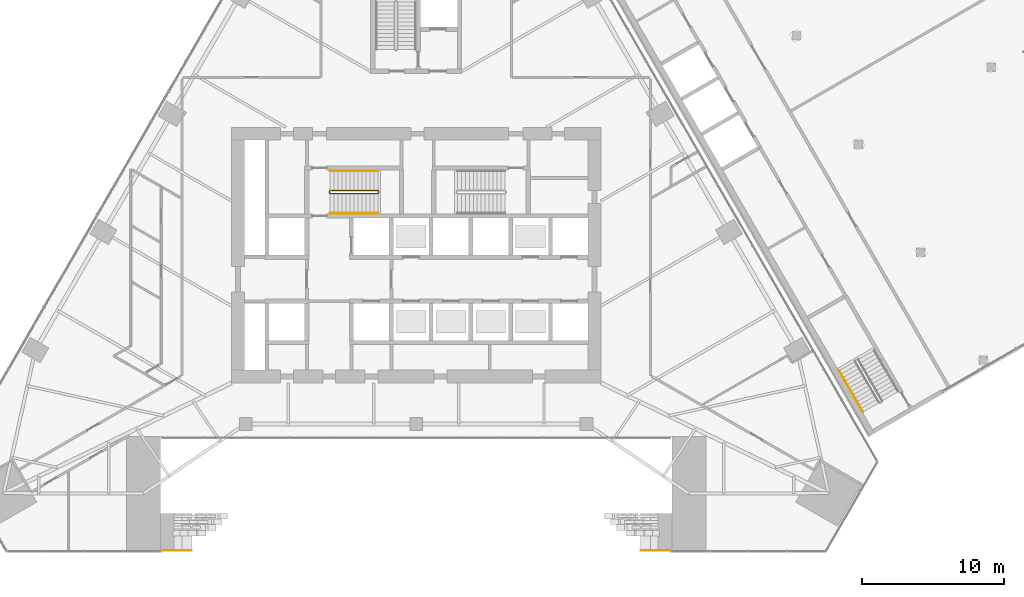
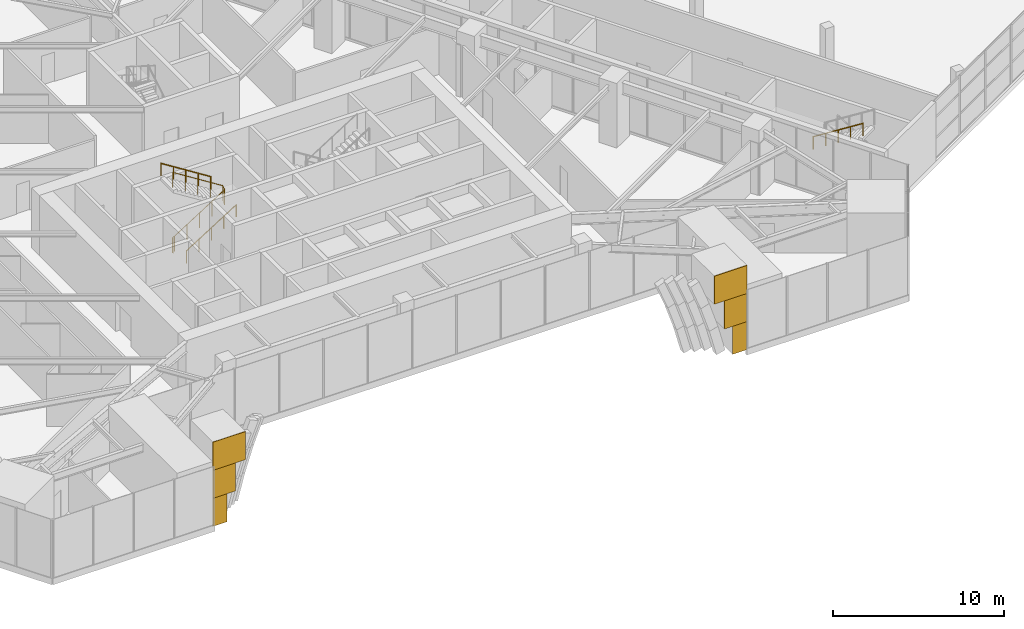
# One storey, part 23 of 29: 6 coverings, 4 railings.
"""IFC4 building model written with IfcOpenShell, lengths in metres."""

from ifc_helpers import new_model, si_unit, direction, frame, origin, origin_2d, place, context, subcontext, project, spatial, polyline, circle, outline, extrude, material, layer, layer_set, type_object, element, save


model = new_model("IFC4")

# Units and contexts
model_context = context("Model", 3, precision=1e-05, world=origin(), true_north=direction((0.0, 1.0)))
body_context = subcontext(model_context, "Body", "Model", "MODEL_VIEW")
ifc_project = project(units=[si_unit("LENGTHUNIT", "METRE"), si_unit("AREAUNIT", "SQUARE_METRE"), si_unit("VOLUMEUNIT", "CUBIC_METRE"), si_unit("PLANEANGLEUNIT", "RADIAN"), si_unit("MASSUNIT", "GRAM", prefix="KILO")], contexts=[model_context])

# Site, building, storey
site_placement = place(None, origin())
site = spatial("IfcSite", under=ifc_project, at=site_placement, CompositionType="ELEMENT")
building_placement = place(site_placement, origin())
building = spatial("IfcBuilding", under=site, at=building_placement, Name="Firuza Gate Tower and Library", CompositionType="ELEMENT")
storey_placement = place(building_placement, frame((0.0, 0.0, 8.0)))
storey = spatial("IfcBuildingStorey", under=building, at=storey_placement, Name="L01", CompositionType="ELEMENT", Elevation=8.0)

# Coverings
ifc_material_1 = material(Name="Glazed ceramic tile")
ifc_layer = layer(ifc_material_1, 0.0400390625)
ifc_layer_set = layer_set([ifc_layer], Name="Glazed tile cladding 40")
covering_type = type_object("IfcCoveringType", Name="Glazed tile cladding 40", PredefinedType="CLADDING", material=ifc_layer_set)
for number, where, z_axis, x_axis, name in (
    (1, (57.0, 54.17529296875, 0.0), (0.0, -1.0, 0.0), (1.0, 0.0, 0.0), "Gate tile 7"),
    (2, (92.037109375, 54.17529296875, 0.0), (0.0, -1.0, 0.0), (1.0, 0.0, 0.0), "Gate tile 8"),
):
    element("IfcCovering", number, at=place(storey_placement, frame(where, z_axis=z_axis, x_axis=x_axis)), inside=storey, type_object=covering_type, Name=name, PredefinedType="CLADDING", context=body_context, shape_type="SweptSolid", body=[
        extrude(outline(polyline([(0.0, 0.0), (0.962890625, 0.0), (0.962890625, 2.0), (0.0, 2.0), (0.0, 0.0)])), origin(), (0.0, 0.0, -1.0), 0.0400390625),
    ])
for number, where, z_axis, x_axis, name in (
    (3, (57.0, 54.17529296875, 2.0), (0.0, -1.0, 0.0), (1.0, 0.0, 0.0), "Gate tile 9"),
    (4, (91.4853515625, 54.17529296875, 2.0), (0.0, -1.0, 0.0), (1.0, 0.0, 0.0), "Gate tile 10"),
):
    element("IfcCovering", number, at=place(storey_placement, frame(where, z_axis=z_axis, x_axis=x_axis)), inside=storey, type_object=covering_type, Name=name, PredefinedType="CLADDING", context=body_context, shape_type="SweptSolid", body=[
        extrude(outline(polyline([(0.0, 0.0), (1.5146484375, 0.0), (1.5146484375, 2.0), (0.0, 2.0), (0.0, 0.0)])), origin(), (0.0, 0.0, -1.0), 0.0400390625),
    ])
for number, where, z_axis, x_axis, name in (
    (5, (57.0, 54.17529296875, 4.0), (0.0, -1.0, 0.0), (1.0, 0.0, 0.0), "Gate tile 11"),
    (6, (90.798583984375, 54.17529296875, 4.0), (0.0, -1.0, 0.0), (1.0, 0.0, 0.0), "Gate tile 12"),
):
    element("IfcCovering", number, at=place(storey_placement, frame(where, z_axis=z_axis, x_axis=x_axis)), inside=storey, type_object=covering_type, Name=name, PredefinedType="CLADDING", context=body_context, shape_type="SweptSolid", body=[
        extrude(outline(polyline([(0.0, 0.0), (2.201416015625, 0.0), (2.201416015625, 2.0), (0.0, 2.0), (0.0, 0.0)])), origin(), (0.0, 0.0, -1.0), 0.0400390625),
    ])

# Railings
ifc_material_2 = material(Name="Steel S355", Category="steel")
railing_type_1 = type_object("IfcRailingType", Name="LIB HANDRAIL", PredefinedType="HANDRAIL", material=ifc_material_2)
railing_1_placement = place(storey_placement, frame((104.792724609375, 66.86669921875, 2.476806640625)))
element("IfcRailing", 7, at=railing_1_placement, inside=storey, type_object=railing_type_1, Name="L01 LIB-ST-B stair handrail 2", PredefinedType="HANDRAIL", context=body_context, shape_type="SweptSolid", body=[
    extrude(circle(Radius=0.02392578125, at=origin_2d()), frame((0.0, 0.0, 0.8759765625), z_axis=(0.42265776977, -0.73211131491, 0.53420354944), x_axis=(0.866039179741, 0.499976138585, 0.0)), (0.0, 0.0, 1.0), 3.974609375),
    extrude(circle(Radius=0.02099609375, at=origin_2d()), origin(), (0.0, 0.0, 1.0), 0.851806640625),
    extrude(circle(Radius=0.02099609375, at=origin_2d()), frame((0.419921875, -0.7275390625, 0.53076171875)), (0.0, 0.0, 1.0), 0.851806640625),
    extrude(circle(Radius=0.02099609375, at=origin_2d()), frame((0.83984375, -1.455078125, 1.0615234375)), (0.0, 0.0, 1.0), 0.851806640625),
    extrude(circle(Radius=0.02099609375, at=origin_2d()), frame((1.260009765625, -2.182373046875, 1.592529296875)), (0.0, 0.0, 1.0), 0.851806640625),
    extrude(circle(Radius=0.02099609375, at=origin_2d()), frame((1.679931640625, -2.909912109375, 2.123291015625)), (0.0, 0.0, 1.0), 0.851806640625),
])
ifc_material_3 = material(Name="Steel S355", Category="steel")
railing_type_2 = type_object("IfcRailingType", Name="Stair guard 1100", PredefinedType="GUARDRAIL", material=ifc_material_3)
railing_2_placement = place(storey_placement, frame((68.889892578125, 79.389892578125, 0.0)))
element("IfcRailing", 8, at=railing_2_placement, inside=storey, type_object=railing_type_2, Name="L01 ST1 stair guard 1", PredefinedType="GUARDRAIL", context=body_context, shape_type="SweptSolid", body=[
    extrude(circle(Radius=0.02392578125, at=origin_2d()), frame((0.0, 0.0, 1.076171875), z_axis=(0.0, 1.0, 0.0), x_axis=(-1.0, 0.0, 0.0)), (0.0, 0.0, 1.0), 0.10009765625),
    extrude(circle(Radius=0.02392578125, at=origin_2d()), frame((0.0, 0.10009765625, 1.076171875), z_axis=(0.210920754441, -0.631733381593, 0.74593925351), x_axis=(0.948528701346, 0.316691178788, 0.0)), (0.0, 0.0, 1.0), 0.2373046875),
    extrude(circle(Radius=0.02392578125, at=origin_2d()), frame((0.050048828125, -0.0498046875, 1.2529296875), z_axis=(0.845389635667, 0.0, 0.534150132366), x_axis=(0.0, 1.0, 0.0)), (0.0, 0.0, 1.0), 3.974609375),
    extrude(circle(Radius=0.02392578125, at=origin_2d()), frame((3.41015625, -0.0498046875, 3.3759765625), z_axis=(0.708833529934, 0.705375805398, 0.0), x_axis=(-0.705375805398, 0.708833529934, 0.0)), (0.0, 0.0, 1.0), 0.070556640625),
    extrude(circle(Radius=0.02392578125, at=origin_2d()), frame((3.460205078125, 0.0, 3.3759765625), z_axis=(0.0, 1.0, 0.0), x_axis=(-1.0, 0.0, 0.0)), (0.0, 0.0, 1.0), 0.10009765625),
    extrude(circle(Radius=0.02392578125, at=origin_2d()), frame((3.460205078125, 0.10009765625, 3.3759765625), z_axis=(-0.262858103699, 0.262858103699, 0.928337888185), x_axis=(-0.707106781187, -0.707106781187, 0.0)), (0.0, 0.0, 1.0), 0.1904296875),
    extrude(circle(Radius=0.02392578125, at=origin_2d()), frame((3.41015625, 0.150146484375, 3.552734375), z_axis=(-0.845361898145, 0.0, 0.534194029511), x_axis=(0.0, -1.0, 0.0)), (0.0, 0.0, 1.0), 3.974853515625),
    extrude(circle(Radius=0.02099609375, at=origin_2d()), origin(), (0.0, 0.0, 1.0), 1.052001953125),
    extrude(circle(Radius=0.02099609375, at=origin_2d()), frame((0.0, 0.10009765625, 0.0)), (0.0, 0.0, 1.0), 1.052001953125),
    extrude(circle(Radius=0.02099609375, at=origin_2d()), frame((0.050048828125, -0.0498046875, 0.177001953125)), (0.0, 0.0, 1.0), 1.052001953125),
    extrude(circle(Radius=0.02099609375, at=origin_2d()), frame((0.89013671875, -0.0498046875, 0.707763671875)), (0.0, 0.0, 1.0), 1.052001953125),
    extrude(circle(Radius=0.02099609375, at=origin_2d()), frame((1.72998046875, -0.0498046875, 1.238525390625)), (0.0, 0.0, 1.0), 1.052001953125),
    extrude(circle(Radius=0.02099609375, at=origin_2d()), frame((2.570068359375, -0.0498046875, 1.769287109375)), (0.0, 0.0, 1.0), 1.052001953125),
    extrude(circle(Radius=0.02099609375, at=origin_2d()), frame((3.41015625, -0.0498046875, 2.300048828125)), (0.0, 0.0, 1.0), 1.052001953125),
    extrude(circle(Radius=0.02099609375, at=origin_2d()), frame((3.460205078125, 0.0, 2.300048828125)), (0.0, 0.0, 1.0), 1.052001953125),
    extrude(circle(Radius=0.02099609375, at=origin_2d()), frame((3.460205078125, 0.10009765625, 2.300048828125)), (0.0, 0.0, 1.0), 1.052001953125),
    extrude(circle(Radius=0.02099609375, at=origin_2d()), frame((3.41015625, 0.150146484375, 2.476806640625)), (0.0, 0.0, 1.0), 1.052001953125),
    extrude(circle(Radius=0.02099609375, at=origin_2d()), frame((2.570068359375, 0.150146484375, 3.007568359375)), (0.0, 0.0, 1.0), 1.052001953125),
    extrude(circle(Radius=0.02099609375, at=origin_2d()), frame((1.72998046875, 0.150146484375, 3.53857421875)), (0.0, 0.0, 1.0), 1.052001953125),
    extrude(circle(Radius=0.02099609375, at=origin_2d()), frame((0.89013671875, 0.150146484375, 4.0693359375)), (0.0, 0.0, 1.0), 1.052001953125),
    extrude(circle(Radius=0.02099609375, at=origin_2d()), frame((0.050048828125, 0.150146484375, 4.60009765625)), (0.0, 0.0, 1.0), 1.052001953125),
])
ifc_material_4 = material(Name="Steel S355", Category="steel")
railing_type_3 = type_object("IfcRailingType", Name="Stair handrail 900", PredefinedType="HANDRAIL", material=ifc_material_4)
railing_3_placement = place(storey_placement, frame((68.93994140625, 77.949951171875, 0.177001953125)))
element("IfcRailing", 9, at=railing_3_placement, inside=storey, type_object=railing_type_3, Name="L01 ST1 stair handrail 1", PredefinedType="HANDRAIL", context=body_context, shape_type="SweptSolid", body=[
    extrude(circle(Radius=0.02392578125, at=origin_2d()), frame((0.0, 0.0, 0.8759765625), z_axis=(0.845389635667, 0.0, 0.534150132366), x_axis=(0.0, 1.0, 0.0)), (0.0, 0.0, 1.0), 3.974609375),
    extrude(circle(Radius=0.02099609375, at=origin_2d()), origin(), (0.0, 0.0, 1.0), 0.851806640625),
    extrude(circle(Radius=0.02099609375, at=origin_2d()), frame((0.840087890625, 0.0, 0.53076171875)), (0.0, 0.0, 1.0), 0.851806640625),
    extrude(circle(Radius=0.02099609375, at=origin_2d()), frame((1.68017578125, 0.0, 1.0615234375)), (0.0, 0.0, 1.0), 0.851806640625),
    extrude(circle(Radius=0.02099609375, at=origin_2d()), frame((2.52001953125, 0.0, 1.59228515625)), (0.0, 0.0, 1.0), 0.851806640625),
    extrude(circle(Radius=0.02099609375, at=origin_2d()), frame((3.360107421875, 0.0, 2.123046875)), (0.0, 0.0, 1.0), 0.851806640625),
])
railing_4_placement = place(storey_placement, frame((72.300048828125, 80.929931640625, 2.476806640625)))
element("IfcRailing", 10, at=railing_4_placement, inside=storey, type_object=railing_type_3, Name="L01 ST1 stair handrail 2", PredefinedType="HANDRAIL", context=body_context, shape_type="SweptSolid", body=[
    extrude(circle(Radius=0.02392578125, at=origin_2d()), frame((0.0, 0.0, 0.8759765625), z_axis=(-0.845361898145, 0.0, 0.534194029511), x_axis=(0.0, -1.0, 0.0)), (0.0, 0.0, 1.0), 3.974853515625),
    extrude(circle(Radius=0.02099609375, at=origin_2d()), origin(), (0.0, 0.0, 1.0), 0.851806640625),
    extrude(circle(Radius=0.02099609375, at=origin_2d()), frame((-0.840087890625, 0.0, 0.53076171875)), (0.0, 0.0, 1.0), 0.851806640625),
    extrude(circle(Radius=0.02099609375, at=origin_2d()), frame((-1.68017578125, 0.0, 1.0615234375)), (0.0, 0.0, 1.0), 0.851806640625),
    extrude(circle(Radius=0.02099609375, at=origin_2d()), frame((-2.52001953125, 0.0, 1.592529296875)), (0.0, 0.0, 1.0), 0.851806640625),
    extrude(circle(Radius=0.02099609375, at=origin_2d()), frame((-3.360107421875, 0.0, 2.123291015625)), (0.0, 0.0, 1.0), 0.851806640625),
])

save(model, "model.ifc")
